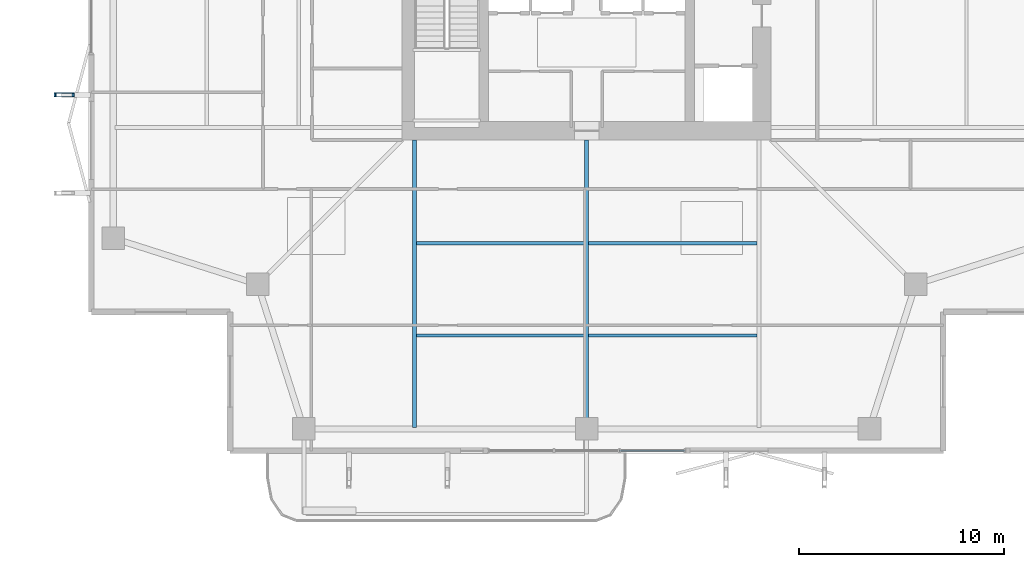
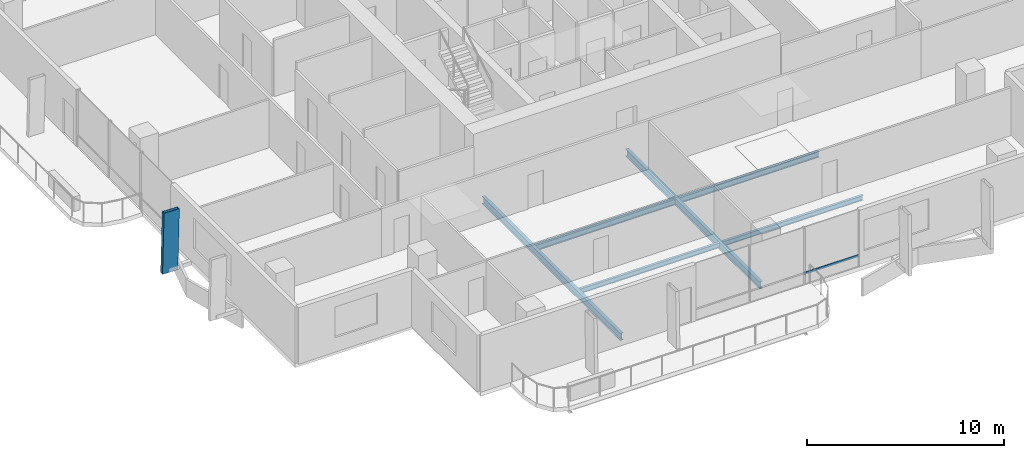
# One storey, part 3 of 25: 6 beams, 2 members, 1 element without a shape of its own.
"""IFC4 building model written with IfcOpenShell, lengths in metres."""

import ifcopenshell
import ifcopenshell.guid

model = None  # the IFC model being written
_history = None  # IfcOwnerHistory: only IFC2X3 demands one
_inside = {}  # id of a spatial element -> (the spatial element, [elements in it])
_under = {}  # id of a project, library or spatial element -> (it, [spatial elements below it])
_declared = {}  # id of a project -> (the project, [libraries it declares])
_typed = {}  # id of a type object -> (the type object, [elements of that type])
_made_of = {}  # id of a material, layer set ... -> (it, [elements and type objects made of it])


def new_model(schema):
    """Start an empty IFC model of exactly this schema.

    Asked for "IFC4X3", IfcOpenShell would pick the latest addendum, in which some entities
    have other attributes; the version numbers below select the first issue.
    IFC2X3 requires an IfcOwnerHistory on every rooted entity: one is made here for all.
    """
    global model, _history
    if schema == "IFC4X3":
        model = ifcopenshell.file(schema_version=(4, 3, 0, 0))
    else:
        model = ifcopenshell.file(schema=schema)
    _inside.clear()
    _under.clear()
    _declared.clear()
    _typed.clear()
    _made_of.clear()
    _history = None
    if model.schema == "IFC2X3":
        org = make("IfcOrganization", Name="unknown")
        user = make(
            "IfcPersonAndOrganization",
            ThePerson=make("IfcPerson", FamilyName="unknown"),
            TheOrganization=org,
        )
        app = make(
            "IfcApplication",
            ApplicationDeveloper=org,
            Version="unknown",
            ApplicationFullName="unknown",
            ApplicationIdentifier="unknown",
        )
        _history = make(
            "IfcOwnerHistory",
            OwningUser=user,
            OwningApplication=app,
            ChangeAction="ADDED",
            CreationDate=0,
        )
    return model


def make(cls, **values):
    """One entity of the class cls with the attributes given. An attribute that is None is left unset."""
    return model.create_entity(
        cls, **{name: value for name, value in values.items() if value is not None}
    )


def rooted(cls, **values):
    """An entity with a GlobalId (a new one), such as an element, a storey or a relation."""
    return make(cls, GlobalId=ifcopenshell.guid.new(), OwnerHistory=_history, **values)


def si_unit(unit_type, name, prefix=None):
    """IfcSIUnit, for example si_unit("LENGTHUNIT", "METRE", prefix="MILLI")."""
    return make("IfcSIUnit", UnitType=unit_type, Prefix=prefix, Name=name)


def assignment(units):
    """IfcUnitAssignment: the units of a project."""
    return None if units is None else make("IfcUnitAssignment", Units=units)


def point(xyz):
    """IfcCartesianPoint."""
    return None if xyz is None else make("IfcCartesianPoint", Coordinates=xyz)


def direction(xyz):
    """IfcDirection."""
    return None if xyz is None else make("IfcDirection", DirectionRatios=xyz)


def frame(location, z_axis=None, x_axis=None):
    """IfcAxis2Placement3D, a coordinate frame: its origin and axes. An axis left out is left unset."""
    return make(
        "IfcAxis2Placement3D",
        Location=point(location),
        Axis=direction(z_axis),
        RefDirection=direction(x_axis),
    )


def frame_2d(location, x_axis=None):
    """IfcAxis2Placement2D, a coordinate frame in the plane: its origin and x axis."""
    return make(
        "IfcAxis2Placement2D", Location=point(location), RefDirection=direction(x_axis)
    )


def origin():
    """The frame at (0, 0, 0) with its axes left unset."""
    return frame((0.0, 0.0, 0.0))


def origin_2d():
    """The frame at (0, 0) in the plane with its x axis left unset."""
    return frame_2d((0.0, 0.0))


def place(relative_to, where):
    """IfcLocalPlacement: puts the frame where relative to a parent placement (None: the world)."""
    return make(
        "IfcLocalPlacement", PlacementRelTo=relative_to, RelativePlacement=where
    )


def context(
    kind, dimensions, precision=None, world=None, true_north=None, identifier=None
):
    """IfcGeometricRepresentationContext, for example the 3D "Model" context."""
    return make(
        "IfcGeometricRepresentationContext",
        ContextIdentifier=identifier,
        ContextType=kind,
        CoordinateSpaceDimension=dimensions,
        Precision=precision,
        WorldCoordinateSystem=world,
        TrueNorth=true_north,
    )


def subcontext(parent, identifier, kind, view, scale=None):
    """IfcGeometricRepresentationSubContext, for example "Body" below "Model"."""
    return make(
        "IfcGeometricRepresentationSubContext",
        ContextIdentifier=identifier,
        ContextType=kind,
        ParentContext=parent,
        TargetScale=scale,
        TargetView=view,
    )


def project(units=None, contexts=None):
    """IfcProject with its units and contexts."""
    return rooted(
        "IfcProject",
        Name="project",
        RepresentationContexts=contexts,
        UnitsInContext=assignment(units),
    )


def spatial(cls, under=None, at=None, **own):
    """A site, building, storey or space (cls), placed at a placement, below another one or the project."""
    s = rooted(cls, ObjectPlacement=at, **own)
    if under is not None:
        _under.setdefault(under.id(), (under, []))[1].append(s)
    return s


def profile(cls, at=None, kind="AREA", **sizes):
    """A parametric profile (cls). Its sizes go by their IFC names, for example OverallWidth=200.0."""
    return make(cls, ProfileType=kind, Position=at, **sizes)


def hollow_rectangle(**sizes):
    """IfcRectangleHollowProfileDef."""
    return profile("IfcRectangleHollowProfileDef", **sizes)


def i_section(**sizes):
    """IfcIShapeProfileDef."""
    return profile("IfcIShapeProfileDef", **sizes)


def extrude(swept, where, along, depth):
    """IfcExtrudedAreaSolid: the profile swept, set in the frame where, extruded along a direction by depth."""
    return make(
        "IfcExtrudedAreaSolid",
        SweptArea=swept,
        Position=where,
        ExtrudedDirection=direction(along),
        Depth=depth,
    )


def shape(context_of_items, identifier, shape_type, items):
    """IfcShapeRepresentation: the items that make up one representation, for example the "Body"."""
    return make(
        "IfcShapeRepresentation",
        ContextOfItems=context_of_items,
        RepresentationIdentifier=identifier,
        RepresentationType=shape_type,
        Items=items,
    )


def material(Name=None, Category=None):
    """IfcMaterial."""
    return make("IfcMaterial", Name=Name, Category=Category)


def layer(
    of_material, thickness, ventilated=None, Name=None, Category=None, Priority=None
):
    """IfcMaterialLayer: one layer of a wall or slab, of a material (None: an air gap)."""
    return make(
        "IfcMaterialLayer",
        Material=of_material,
        LayerThickness=thickness,
        IsVentilated=ventilated,
        Name=Name,
        Category=Category,
        Priority=Priority,
    )


def layer_set(layers, Name=None):
    """IfcMaterialLayerSet."""
    return make("IfcMaterialLayerSet", MaterialLayers=layers, LayerSetName=Name)


def material_profile(
    of_material, cross_section, Name=None, Category=None, Priority=None
):
    """IfcMaterialProfile: a cross section and its material."""
    return make(
        "IfcMaterialProfile",
        Name=Name,
        Material=of_material,
        Profile=cross_section,
        Priority=Priority,
        Category=Category,
    )


def profile_set(profiles, Name=None, composite=None):
    """IfcMaterialProfileSet."""
    return make(
        "IfcMaterialProfileSet",
        Name=Name,
        MaterialProfiles=profiles,
        CompositeProfile=composite,
    )


def made_of(thing, what):
    """Note that an element or type object is made of a material, layer set ...; save() writes the relation."""
    if what is not None:
        _made_of.setdefault(what.id(), (what, []))[1].append(thing)
    return thing


def type_object(cls, material=None, **own):
    """A type object (cls), such as IfcWallType, which elements share."""
    return made_of(rooted(cls, **own), material)


def element(
    cls,
    number,
    at=None,
    inside=None,
    cuts=None,
    type_object=None,
    material=None,
    context=None,
    identifier="Body",
    shape_type=None,
    held_by="IfcProductDefinitionShape",
    body=None,
    shapes=None,
    **own,
):
    """One element of the class cls, such as IfcWall. Its Tag is "e" and its number.

    at: its placement. inside: the storey or other place that contains it. cuts: it is an
    opening in that element (IfcRelVoidsElement). A single representation is given by context,
    identifier, shape_type and body (its items); several are given by shapes. held_by: the class
    of the entity that holds the representations. save() writes the other relations.
    """
    e = rooted(cls, Tag="e%d" % number, ObjectPlacement=at, **own)
    if body is not None:
        shapes = [shape(context, identifier, shape_type, body)]
    if shapes is not None:
        e.Representation = make(held_by, Representations=shapes)
    if inside is not None:
        _inside.setdefault(inside.id(), (inside, []))[1].append(e)
    if cuts is not None:
        rooted(
            "IfcRelVoidsElement", RelatingBuildingElement=cuts, RelatedOpeningElement=e
        )
    if type_object is not None:
        _typed.setdefault(type_object.id(), (type_object, []))[1].append(e)
    return made_of(e, material)


def aggregate(whole, parts):
    """IfcRelAggregates: a whole, such as a stair, and the parts it consists of."""
    return rooted("IfcRelAggregates", RelatingObject=whole, RelatedObjects=parts)


def save(model, path):
    """Write the relations noted so far, then the file.

    IfcRelAggregates (storeys below a building ...), IfcRelContainedInSpatialStructure (elements
    in a storey), IfcRelDefinesByType, IfcRelAssociatesMaterial and IfcRelDeclares: one each for
    every whole, place, type object, material and project.
    """
    for whole, parts in _under.values():
        aggregate(whole, parts)
    for where, things in _inside.values():
        rooted(
            "IfcRelContainedInSpatialStructure",
            RelatedElements=things,
            RelatingStructure=where,
        )
    for kind, things in _typed.values():
        rooted("IfcRelDefinesByType", RelatedObjects=things, RelatingType=kind)
    for what, things in _made_of.values():
        rooted("IfcRelAssociatesMaterial", RelatedObjects=things, RelatingMaterial=what)
    for by, libraries in _declared.values():
        rooted("IfcRelDeclares", RelatingContext=by, RelatedDefinitions=libraries)
    model.write(path)


model = new_model("IFC4")

# Units and contexts
model_context = context("Model", 3, precision=1e-05, world=origin(), true_north=direction((0.0, 1.0)))
body_context = subcontext(model_context, "Body", "Model", "MODEL_VIEW")
ifc_project = project(units=[si_unit("LENGTHUNIT", "METRE"), si_unit("AREAUNIT", "SQUARE_METRE"), si_unit("VOLUMEUNIT", "CUBIC_METRE"), si_unit("PLANEANGLEUNIT", "RADIAN"), si_unit("MASSUNIT", "GRAM", prefix="KILO")], contexts=[model_context])

# Site, building, storey
site_placement = place(None, origin())
site = spatial("IfcSite", under=ifc_project, at=site_placement, CompositionType="ELEMENT")
building_placement = place(site_placement, origin())
building = spatial("IfcBuilding", under=site, at=building_placement, Name="Belovzor Exchange Tower", CompositionType="ELEMENT")
storey_placement = place(building_placement, frame((0.0, 0.0, 160.800048828125)))
storey = spatial("IfcBuildingStorey", under=building, at=storey_placement, Name="L39", CompositionType="ELEMENT", Elevation=160.800048828125)

# Beams
ifc_material_1 = material(Name="Steel S355", Category="steel")
ifc_material_profile_1 = material_profile(ifc_material_1, i_section(OverallWidth=0.169921875, OverallDepth=0.360107421875, WebThickness=0.008056640625, FlangeThickness=0.0126953125, at=origin_2d()))
ifc_profile_set_1 = profile_set([ifc_material_profile_1], Name="Steel S355")
beam_type_1 = type_object("IfcBeamType", Name="Secondary Infill Floor Joist IPE 360", PredefinedType="BEAM", material=ifc_profile_set_1)
for number, where, z_axis, x_axis, name in (
    (1, (20.4951171875, 14.7509765625, -0.43505859375), (1.0, 0.0, 0.0), (0.0, 1.0, 0.0), "FJ-360 Secondary Infill Floor Joist IPE 360"),
    (2, (28.89501953125, 14.7509765625, -0.43505859375), (1.0, 0.0, 0.0), (0.0, 1.0, 0.0), "FJ-360 Secondary Infill Floor Joist IPE 360"),
):
    element("IfcBeam", number, at=place(storey_placement, frame(where, z_axis=z_axis, x_axis=x_axis)), inside=storey, type_object=beam_type_1, Name=name, PredefinedType="BEAM", context=body_context, shape_type="SweptSolid", body=[
        extrude(i_section(OverallWidth=0.169921875, OverallDepth=0.360107421875, WebThickness=0.008056640625, FlangeThickness=0.0126953125, at=origin_2d()), origin(), (0.0, 0.0, 1.0), 8.2099609375),
    ])
ifc_material_2 = material(Name="Steel S355", Category="steel")
ifc_material_profile_2 = material_profile(ifc_material_2, i_section(OverallWidth=0.14990234375, OverallDepth=0.300048828125, WebThickness=0.007080078125, FlangeThickness=0.0107421875, at=origin_2d()))
ifc_profile_set_2 = profile_set([ifc_material_profile_2], Name="Steel S355")
beam_type_2 = type_object("IfcBeamType", Name="Secondary Trim Floor Joist IPE 300", PredefinedType="BEAM", material=ifc_profile_set_2)
for number, where, z_axis, x_axis, name in (
    (3, (20.4951171875, 10.262939453125, -0.405029296875), (1.0, 0.0, 0.0), (0.0, 1.0, 0.0), "FJ-300 Secondary Trim Floor Joist IPE 300"),
    (4, (28.89501953125, 10.262939453125, -0.405029296875), (1.0, 0.0, 0.0), (0.0, 1.0, 0.0), "FJ-300 Secondary Trim Floor Joist IPE 300"),
):
    element("IfcBeam", number, at=place(storey_placement, frame(where, z_axis=z_axis, x_axis=x_axis)), inside=storey, type_object=beam_type_2, Name=name, PredefinedType="BEAM", context=body_context, shape_type="SweptSolid", body=[
        extrude(i_section(OverallWidth=0.14990234375, OverallDepth=0.300048828125, WebThickness=0.007080078125, FlangeThickness=0.0107421875, at=origin_2d()), origin(), (0.0, 0.0, 1.0), 8.2099609375),
    ])

# Member
ifc_material_3 = material(Name="Extruded Architectural Terracotta on Steel S355 Carrier", Category="masonry")
ifc_material_profile_3 = material_profile(ifc_material_3, hollow_rectangle(XDim=0.199951171875, YDim=0.89990234375, WallThickness=0.011962890625, at=origin_2d()))
ifc_profile_set_3 = profile_set([ifc_material_profile_3], Name="Extruded Architectural Terracotta on Steel S355 Carrier")
member_type_1 = type_object("IfcMemberType", Name="Sweeping Terracotta Baguette Fin Assembly 1250", PredefinedType="USERDEFINED", material=ifc_profile_set_3)
member_1_placement = place(storey_placement, frame((3.259033203125, 22.0, -0.255126953125), z_axis=(0.025057234181, 0.0, 0.999686018215), x_axis=(0.0, 1.0, 0.0)))
element("IfcMember", 5, at=member_1_placement, inside=storey, type_object=member_type_1, Name="FIN-TC125 Terracotta Facade Fin L39 W2", ObjectType="FIN", PredefinedType="USERDEFINED", context=body_context, shape_type="SweptSolid", body=[
    extrude(hollow_rectangle(XDim=0.199951171875, YDim=0.89990234375, WallThickness=0.011962890625, at=origin_2d()), origin(), (0.0, 0.0, 1.0), 3.751220703125),
])

# Curtain wall, member
ifc_material_4 = material(Name="Anodised Aluminium Framing", Category="aluminium")
ifc_layer = layer(ifc_material_4, 0.179931640625)
ifc_layer_set = layer_set([ifc_layer], Name="Anodised Aluminium Framing")
curtain_wall_type = type_object("IfcCurtainWallType", Name="Recessed Loggia Low-Iron Triple-Glazed Curtain Wall", PredefinedType="NOTDEFINED", material=ifc_layer_set)
curtain_wall_placement = place(storey_placement, origin())
curtain_wall = element("IfcCurtainWall", 6, at=curtain_wall_placement, inside=storey, type_object=curtain_wall_type, Name="CW3 Recessed Loggia Low-Iron Triple-Glazed Curtain Wall L39", PredefinedType="NOTDEFINED")
ifc_material_5 = material(Name="Steel S355", Category="steel")
ifc_material_profile_4 = material_profile(ifc_material_5, hollow_rectangle(XDim=0.06005859375, YDim=0.14990234375, WallThickness=0.00390625, at=origin_2d()))
ifc_profile_set_4 = profile_set([ifc_material_profile_4], Name="Steel S355")
member_type_2 = type_object("IfcMemberType", Name="Thermally Broken Curtain Wall Transom 150x60", PredefinedType="USERDEFINED", material=ifc_profile_set_4)
member_2_placement = place(storey_placement, frame((33.592041015625, 4.6298828125, 0.62890625), z_axis=(-1.0, 0.0, 0.0), x_axis=(0.0, -1.0, 0.0)))
member_2 = element("IfcMember", 7, at=member_2_placement, type_object=member_type_2, Name="CW-T150 Curtain Wall Transom 1", ObjectType="TRANSOM", PredefinedType="USERDEFINED", context=body_context, shape_type="SweptSolid", body=[
    extrude(hollow_rectangle(XDim=0.06005859375, YDim=0.14990234375, WallThickness=0.00390625, at=origin_2d()), origin(), (0.0, 0.0, 1.0), 3.18408203125),
])
aggregate(curtain_wall, [member_2])

# Beams
ifc_material_6 = material(Name="Steel S355", Category="steel")
ifc_material_profile_5 = material_profile(ifc_material_6, i_section(OverallWidth=0.18994140625, OverallDepth=0.449951171875, WebThickness=0.009521484375, FlangeThickness=0.0146484375, at=origin_2d()))
ifc_profile_set_5 = profile_set([ifc_material_profile_5], Name="Steel S355")
beam_type_3 = type_object("IfcBeamType", Name="Zone 2-4 Radial Composite Floor Beam IPE 450", PredefinedType="BEAM", material=ifc_profile_set_5)
beam_1_placement = place(storey_placement, frame((20.39990234375, 19.800048828125, -0.47998046875), z_axis=(0.0, -1.0, 0.0), x_axis=(1.0, 0.0, 0.0)))
element("IfcBeam", 8, at=beam_1_placement, inside=storey, type_object=beam_type_3, Name="FB-450 Zone 2-4 Radial Composite Floor Beam IPE 450", PredefinedType="BEAM", context=body_context, shape_type="SweptSolid", body=[
    extrude(i_section(OverallWidth=0.18994140625, OverallDepth=0.449951171875, WebThickness=0.009521484375, FlangeThickness=0.0146484375, at=origin_2d()), origin(), (0.0, 0.0, 1.0), 14.025146484375),
])
beam_2_placement = place(storey_placement, frame((28.800048828125, 19.800048828125, -0.47998046875), z_axis=(0.0, -1.0, 0.0), x_axis=(1.0, 0.0, 0.0)))
element("IfcBeam", 9, at=beam_2_placement, inside=storey, type_object=beam_type_3, Name="FB-450 Zone 2-4 Radial Composite Floor Beam IPE 450", PredefinedType="BEAM", context=body_context, shape_type="SweptSolid", body=[
    extrude(i_section(OverallWidth=0.18994140625, OverallDepth=0.449951171875, WebThickness=0.009521484375, FlangeThickness=0.0146484375, at=origin_2d()), origin(), (0.0, 0.0, 1.0), 13.615966796875),
])

save(model, "model.ifc")
